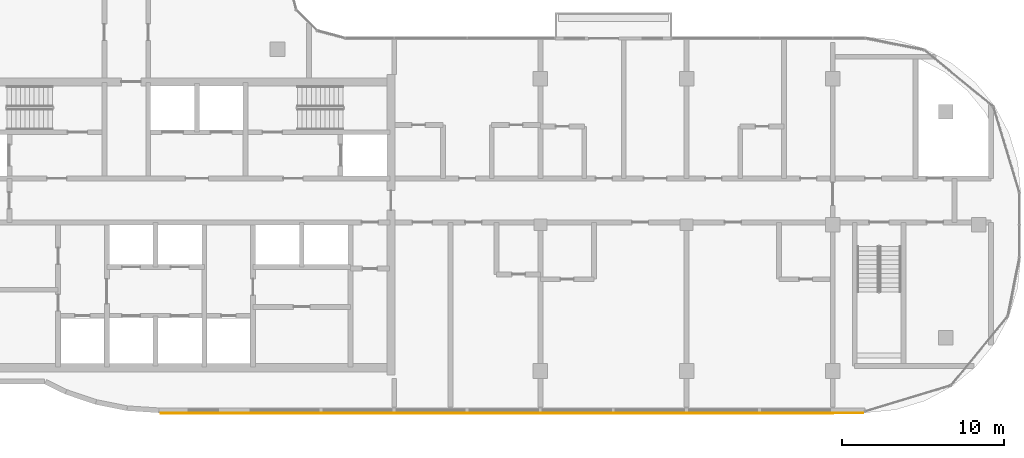
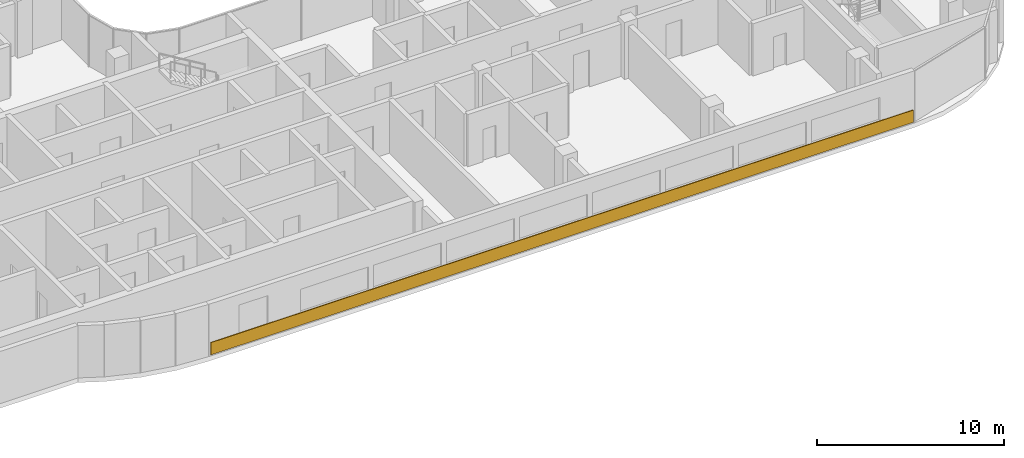
# One storey, part 16 of 18: 1 covering.
"""IFC4 building model written with IfcOpenShell, lengths in metres."""

from ifc_helpers import new_model, si_unit, direction, frame, origin, origin_2d, place, context, subcontext, project, spatial, rectangle, extrude, material, layer, layer_set, type_object, element, save


model = new_model("IFC4")

# Units and contexts
model_context = context("Model", 3, precision=1e-05, world=origin(), true_north=direction((0.0, 1.0)))
body_context = subcontext(model_context, "Body", "Model", "MODEL_VIEW")
ifc_project = project(units=[si_unit("LENGTHUNIT", "METRE"), si_unit("AREAUNIT", "SQUARE_METRE"), si_unit("VOLUMEUNIT", "CUBIC_METRE"), si_unit("PLANEANGLEUNIT", "RADIAN"), si_unit("MASSUNIT", "GRAM", prefix="KILO")], contexts=[model_context])

# Site, building, storey
site_placement = place(None, origin())
site = spatial("IfcSite", under=ifc_project, at=site_placement, CompositionType="ELEMENT")
building_placement = place(site_placement, origin())
building = spatial("IfcBuilding", under=site, at=building_placement, Name="Ogive Portal Towers", CompositionType="ELEMENT")
storey_placement = place(building_placement, frame((0.0, 0.0, 236.5)))
storey = spatial("IfcBuildingStorey", under=building, at=storey_placement, Name="L59", CompositionType="ELEMENT", Elevation=236.5)

# Covering
ifc_material = material(Name="Limestone cladding on lightweight block wall", Category="masonry")
ifc_layer = layer(ifc_material, 0.050048828125)
ifc_layer_set = layer_set([ifc_layer], Name="SCREEN PERFORATED STONE")
covering_type = type_object("IfcCoveringType", Name="SCREEN PERFORATED STONE", PredefinedType="CLADDING", material=ifc_layer_set)
covering_placement = place(storey_placement, frame((65.7490234375, 18.89990234375, 0.10009765625), z_axis=(0.0, 0.0, 1.0), x_axis=(1.0, 0.0, 0.0)))
element("IfcCovering", 1, at=covering_placement, inside=storey, type_object=covering_type, Name="Tracery screen", PredefinedType="CLADDING", context=body_context, shape_type="SweptSolid", body=[
    extrude(rectangle(XDim=43.2783203125, YDim=0.050048828125, at=origin_2d()), origin(), (0.0, 0.0, 1.0), 0.800048828125),
])

save(model, "model.ifc")
